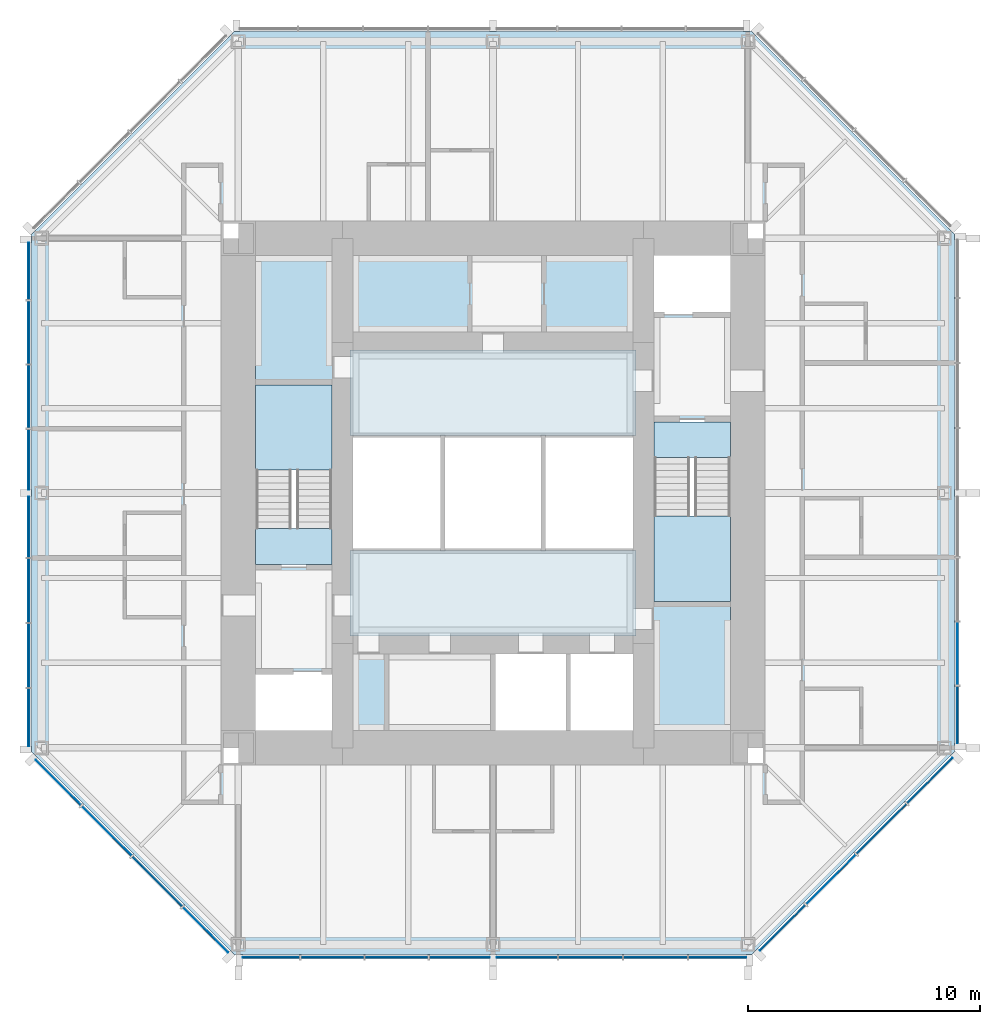
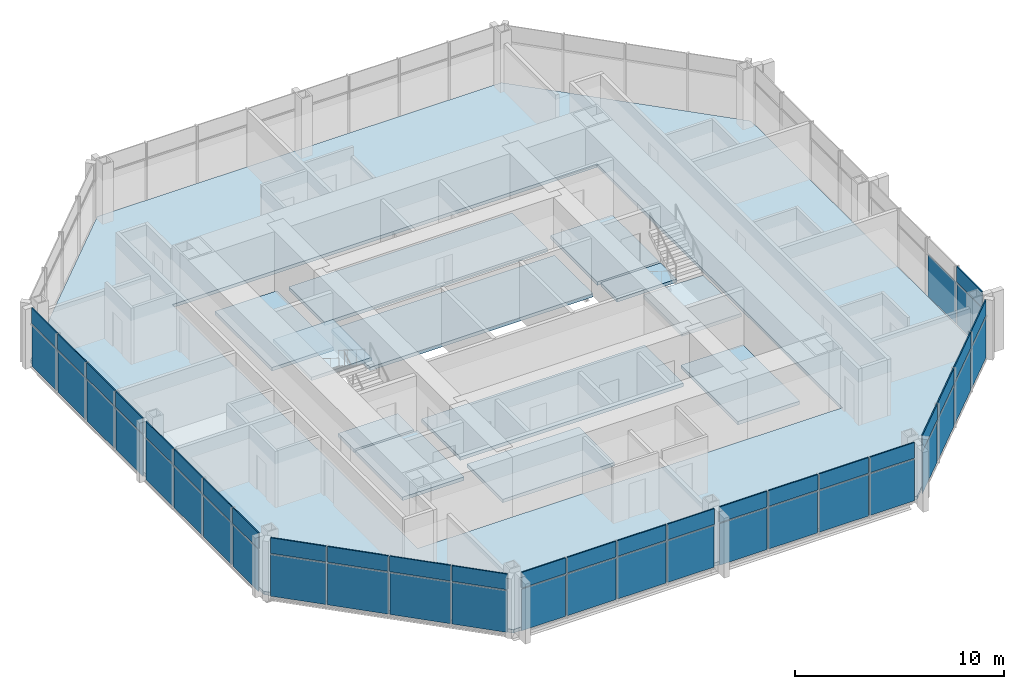
# One storey, part 6 of 11: 51 plates, 13 slabs, 7 elements without a shape of their own.
"""IFC4 building model written with IfcOpenShell, lengths in metres."""

from ifc_helpers import new_model, si_unit, direction, frame, origin, origin_2d, place, context, subcontext, project, spatial, polyline, rectangle, outline, extrude, material, layer, layer_set, type_object, element, aggregate, save


model = new_model("IFC4")

# Units and contexts
model_context = context("Model", 3, precision=1e-05, world=origin(), true_north=direction((0.0, 1.0)))
body_context = subcontext(model_context, "Body", "Model", "MODEL_VIEW")
ifc_project = project(units=[si_unit("LENGTHUNIT", "METRE"), si_unit("AREAUNIT", "SQUARE_METRE"), si_unit("VOLUMEUNIT", "CUBIC_METRE"), si_unit("PLANEANGLEUNIT", "RADIAN"), si_unit("MASSUNIT", "GRAM", prefix="KILO")], contexts=[model_context])

# Site, building, storey
site_placement = place(None, origin())
site = spatial("IfcSite", under=ifc_project, at=site_placement, CompositionType="ELEMENT")
building_placement = place(site_placement, origin())
building = spatial("IfcBuilding", under=site, at=building_placement, Name="Trevanion Tower", CompositionType="ELEMENT")
storey_placement = place(building_placement, frame((0.0, 0.0, 232.699951171875)))
storey = spatial("IfcBuildingStorey", under=building, at=storey_placement, Name="L56", CompositionType="ELEMENT", Elevation=232.699951171875)

# Curtain wall, plate
ifc_material_1 = material(Name="Aluminium and glass", Category="aluminium")
curtain_wall_type = type_object("IfcCurtainWallType", Name="CW3 curtain wall", PredefinedType="USERDEFINED", material=ifc_material_1)
curtain_wall_1_placement = place(storey_placement, origin())
curtain_wall_1 = element("IfcCurtainWall", 1, at=curtain_wall_1_placement, inside=storey, type_object=curtain_wall_type, Name="CW3 L56 0", ObjectType="UNITISED CURTAIN WALL", PredefinedType="USERDEFINED")
ifc_material_2 = material(Name="Aluminium spandrel panel", Category="aluminium")
ifc_layer_1 = layer(ifc_material_2, 0.06005859375)
ifc_layer_set_1 = layer_set([ifc_layer_1], Name="CW3 spandrel panel")
plate_type_1 = type_object("IfcPlateType", Name="CW3 spandrel panel", PredefinedType="CURTAIN_PANEL", material=ifc_layer_set_1)
plate_1_placement = place(storey_placement, frame((20.050048828125, -9.579345703125, 2.3974609375), z_axis=(0.0, 0.0, 1.0), x_axis=(0.0, 1.0, 0.0)))
plate_1 = element("IfcPlate", 2, at=plate_1_placement, type_object=plate_type_1, Name="CW3 panel 1.2", PredefinedType="CURTAIN_PANEL", context=body_context, shape_type="SweptSolid", body=[
    extrude(rectangle(XDim=2.43701171875, YDim=0.06005859375, at=origin_2d()), origin(), (0.0, 0.0, 1.0), 0.91259765625),
])

# Curtain wall, plates
curtain_wall_2_placement = place(storey_placement, origin())
curtain_wall_2 = element("IfcCurtainWall", 3, at=curtain_wall_2_placement, inside=storey, type_object=curtain_wall_type, Name="CW3 L56 4", ObjectType="UNITISED CURTAIN WALL", PredefinedType="USERDEFINED")
plate_2_placement = place(storey_placement, frame((-20.050048828125, 9.579345703125, 2.3974609375), z_axis=(0.0, 0.0, 1.0), x_axis=(0.0, -1.0, 0.0)))
plate_2 = element("IfcPlate", 4, at=plate_2_placement, type_object=plate_type_1, Name="CW3 panel 1.2", PredefinedType="CURTAIN_PANEL", context=body_context, shape_type="SweptSolid", body=[
    extrude(rectangle(XDim=2.43701171875, YDim=0.06005859375, at=origin_2d()), origin(), (0.0, 0.0, 1.0), 0.91259765625),
])
plate_3_placement = place(storey_placement, frame((-20.050048828125, 6.93603515625, 2.3974609375), z_axis=(0.0, 0.0, 1.0), x_axis=(0.0, -1.0, 0.0)))
plate_3 = element("IfcPlate", 5, at=plate_3_placement, type_object=plate_type_1, Name="CW3 panel 2.2", PredefinedType="CURTAIN_PANEL", context=body_context, shape_type="SweptSolid", body=[
    extrude(rectangle(XDim=2.699462890625, YDim=0.06005859375, at=origin_2d()), origin(), (0.0, 0.0, 1.0), 0.91259765625),
])
plate_4_placement = place(storey_placement, frame((-20.050048828125, 4.16162109375, 2.3974609375), z_axis=(0.0, 0.0, 1.0), x_axis=(0.0, -1.0, 0.0)))
plate_4 = element("IfcPlate", 6, at=plate_4_placement, type_object=plate_type_1, Name="CW3 panel 3.2", PredefinedType="CURTAIN_PANEL", context=body_context, shape_type="SweptSolid", body=[
    extrude(rectangle(XDim=2.699462890625, YDim=0.06005859375, at=origin_2d()), origin(), (0.0, 0.0, 1.0), 0.91259765625),
])
plate_5_placement = place(storey_placement, frame((-20.050048828125, 1.443603515625, 2.3974609375), z_axis=(0.0, 0.0, 1.0), x_axis=(0.0, -1.0, 0.0)))
plate_5 = element("IfcPlate", 7, at=plate_5_placement, type_object=plate_type_1, Name="CW3 panel 4.2", PredefinedType="CURTAIN_PANEL", context=body_context, shape_type="SweptSolid", body=[
    extrude(rectangle(XDim=2.5869140625, YDim=0.06005859375, at=origin_2d()), origin(), (0.0, 0.0, 1.0), 0.91259765625),
])
plate_6_placement = place(storey_placement, frame((-20.050048828125, -1.459716796875, 2.3974609375), z_axis=(0.0, 0.0, 1.0), x_axis=(0.0, -1.0, 0.0)))
plate_6 = element("IfcPlate", 8, at=plate_6_placement, type_object=plate_type_1, Name="CW3 panel 5.2", PredefinedType="CURTAIN_PANEL", context=body_context, shape_type="SweptSolid", body=[
    extrude(rectangle(XDim=2.619384765625, YDim=0.06005859375, at=origin_2d()), origin(), (0.0, 0.0, 1.0), 0.91259765625),
])
plate_7_placement = place(storey_placement, frame((-20.050048828125, -4.21044921875, 2.3974609375), z_axis=(0.0, 0.0, 1.0), x_axis=(0.0, -1.0, 0.0)))
plate_7 = element("IfcPlate", 9, at=plate_7_placement, type_object=plate_type_1, Name="CW3 panel 6.2", PredefinedType="CURTAIN_PANEL", context=body_context, shape_type="SweptSolid", body=[
    extrude(rectangle(XDim=2.73193359375, YDim=0.06005859375, at=origin_2d()), origin(), (0.0, 0.0, 1.0), 0.91259765625),
])
plate_8_placement = place(storey_placement, frame((-20.050048828125, -7.017333984375, 2.3974609375), z_axis=(0.0, 0.0, 1.0), x_axis=(0.0, -1.0, 0.0)))
plate_8 = element("IfcPlate", 10, at=plate_8_placement, type_object=plate_type_1, Name="CW3 panel 7.2", PredefinedType="CURTAIN_PANEL", context=body_context, shape_type="SweptSolid", body=[
    extrude(rectangle(XDim=2.73193359375, YDim=0.06005859375, at=origin_2d()), origin(), (0.0, 0.0, 1.0), 0.91259765625),
])
plate_9_placement = place(storey_placement, frame((-20.050048828125, -9.693115234375, 2.3974609375), z_axis=(0.0, 0.0, 1.0), x_axis=(0.0, -1.0, 0.0)))
plate_9 = element("IfcPlate", 11, at=plate_9_placement, type_object=plate_type_1, Name="CW3 panel 8.2", PredefinedType="CURTAIN_PANEL", context=body_context, shape_type="SweptSolid", body=[
    extrude(rectangle(XDim=2.469482421875, YDim=0.06005859375, at=origin_2d()), origin(), (0.0, 0.0, 1.0), 0.91259765625),
])

curtain_wall_3_placement = place(storey_placement, origin())
curtain_wall_3 = element("IfcCurtainWall", 12, at=curtain_wall_3_placement, inside=storey, type_object=curtain_wall_type, Name="CW3 L56 5", ObjectType="UNITISED CURTAIN WALL", PredefinedType="USERDEFINED")
plate_10_placement = place(storey_placement, frame((-18.77392578125, -12.50390625, 2.3974609375), z_axis=(0.0, 0.0, 1.0), x_axis=(0.707106781187, -0.707106781187, 0.0)))
plate_10 = element("IfcPlate", 13, at=plate_10_placement, type_object=plate_type_1, Name="CW3 panel 1.2", PredefinedType="CURTAIN_PANEL", context=body_context, shape_type="SweptSolid", body=[
    extrude(rectangle(XDim=2.7490234375, YDim=0.06005859375, at=origin_2d()), origin(), (0.0, 0.0, 1.0), 0.91259765625),
])
plate_11_placement = place(storey_placement, frame((-16.68408203125, -14.593505859375, 2.3974609375), z_axis=(0.0, 0.0, 1.0), x_axis=(0.707106781187, -0.707106781187, 0.0)))
plate_11 = element("IfcPlate", 14, at=plate_11_placement, type_object=plate_type_1, Name="CW3 panel 2.2", PredefinedType="CURTAIN_PANEL", context=body_context, shape_type="SweptSolid", body=[
    extrude(rectangle(XDim=3.01171875, YDim=0.06005859375, at=origin_2d()), origin(), (0.0, 0.0, 1.0), 0.91259765625),
])
plate_12_placement = place(storey_placement, frame((-14.501708984375, -16.776123046875, 2.3974609375), z_axis=(0.0, 0.0, 1.0), x_axis=(0.707106781187, -0.707106781187, 0.0)))
plate_12 = element("IfcPlate", 15, at=plate_12_placement, type_object=plate_type_1, Name="CW3 panel 3.2", PredefinedType="CURTAIN_PANEL", context=body_context, shape_type="SweptSolid", body=[
    extrude(rectangle(XDim=3.01171875, YDim=0.06005859375, at=origin_2d()), origin(), (0.0, 0.0, 1.0), 0.91259765625),
])
plate_13_placement = place(storey_placement, frame((-12.411865234375, -18.865966796875, 2.3974609375), z_axis=(0.0, 0.0, 1.0), x_axis=(0.707106781187, -0.707106781187, 0.0)))
plate_13 = element("IfcPlate", 16, at=plate_13_placement, type_object=plate_type_1, Name="CW3 panel 4.2", PredefinedType="CURTAIN_PANEL", context=body_context, shape_type="SweptSolid", body=[
    extrude(rectangle(XDim=2.7490234375, YDim=0.06005859375, at=origin_2d()), origin(), (0.0, 0.0, 1.0), 0.91259765625),
])

curtain_wall_4_placement = place(storey_placement, origin())
curtain_wall_4 = element("IfcCurtainWall", 17, at=curtain_wall_4_placement, inside=storey, type_object=curtain_wall_type, Name="CW3 L56 6", ObjectType="UNITISED CURTAIN WALL", PredefinedType="USERDEFINED")
plate_14_placement = place(storey_placement, frame((-9.579345703125, -20.050048828125, 2.3974609375), z_axis=(0.0, 0.0, 1.0), x_axis=(1.0, 0.0, 0.0)))
plate_14 = element("IfcPlate", 18, at=plate_14_placement, type_object=plate_type_1, Name="CW3 panel 1.2", PredefinedType="CURTAIN_PANEL", context=body_context, shape_type="SweptSolid", body=[
    extrude(rectangle(XDim=2.43701171875, YDim=0.06005859375, at=origin_2d()), origin(), (0.0, 0.0, 1.0), 0.91259765625),
])
plate_15_placement = place(storey_placement, frame((-6.93603515625, -20.050048828125, 2.3974609375), z_axis=(0.0, 0.0, 1.0), x_axis=(1.0, 0.0, 0.0)))
plate_15 = element("IfcPlate", 19, at=plate_15_placement, type_object=plate_type_1, Name="CW3 panel 2.2", PredefinedType="CURTAIN_PANEL", context=body_context, shape_type="SweptSolid", body=[
    extrude(rectangle(XDim=2.699462890625, YDim=0.06005859375, at=origin_2d()), origin(), (0.0, 0.0, 1.0), 0.91259765625),
])
plate_16_placement = place(storey_placement, frame((-4.16162109375, -20.050048828125, 2.3974609375), z_axis=(0.0, 0.0, 1.0), x_axis=(1.0, 0.0, 0.0)))
plate_16 = element("IfcPlate", 20, at=plate_16_placement, type_object=plate_type_1, Name="CW3 panel 3.2", PredefinedType="CURTAIN_PANEL", context=body_context, shape_type="SweptSolid", body=[
    extrude(rectangle(XDim=2.699462890625, YDim=0.06005859375, at=origin_2d()), origin(), (0.0, 0.0, 1.0), 0.91259765625),
])
plate_17_placement = place(storey_placement, frame((-1.443603515625, -20.050048828125, 2.3974609375), z_axis=(0.0, 0.0, 1.0), x_axis=(1.0, 0.0, 0.0)))
plate_17 = element("IfcPlate", 21, at=plate_17_placement, type_object=plate_type_1, Name="CW3 panel 4.2", PredefinedType="CURTAIN_PANEL", context=body_context, shape_type="SweptSolid", body=[
    extrude(rectangle(XDim=2.5869140625, YDim=0.06005859375, at=origin_2d()), origin(), (0.0, 0.0, 1.0), 0.91259765625),
])
plate_18_placement = place(storey_placement, frame((1.459716796875, -20.050048828125, 2.3974609375), z_axis=(0.0, 0.0, 1.0), x_axis=(1.0, 0.0, 0.0)))
plate_18 = element("IfcPlate", 22, at=plate_18_placement, type_object=plate_type_1, Name="CW3 panel 5.2", PredefinedType="CURTAIN_PANEL", context=body_context, shape_type="SweptSolid", body=[
    extrude(rectangle(XDim=2.619384765625, YDim=0.06005859375, at=origin_2d()), origin(), (0.0, 0.0, 1.0), 0.91259765625),
])
plate_19_placement = place(storey_placement, frame((4.21044921875, -20.050048828125, 2.3974609375), z_axis=(0.0, 0.0, 1.0), x_axis=(1.0, 0.0, 0.0)))
plate_19 = element("IfcPlate", 23, at=plate_19_placement, type_object=plate_type_1, Name="CW3 panel 6.2", PredefinedType="CURTAIN_PANEL", context=body_context, shape_type="SweptSolid", body=[
    extrude(rectangle(XDim=2.73193359375, YDim=0.06005859375, at=origin_2d()), origin(), (0.0, 0.0, 1.0), 0.91259765625),
])
plate_20_placement = place(storey_placement, frame((7.017333984375, -20.050048828125, 2.3974609375), z_axis=(0.0, 0.0, 1.0), x_axis=(1.0, 0.0, 0.0)))
plate_20 = element("IfcPlate", 24, at=plate_20_placement, type_object=plate_type_1, Name="CW3 panel 7.2", PredefinedType="CURTAIN_PANEL", context=body_context, shape_type="SweptSolid", body=[
    extrude(rectangle(XDim=2.73193359375, YDim=0.06005859375, at=origin_2d()), origin(), (0.0, 0.0, 1.0), 0.91259765625),
])
plate_21_placement = place(storey_placement, frame((9.693115234375, -20.050048828125, 2.3974609375), z_axis=(0.0, 0.0, 1.0), x_axis=(1.0, 0.0, 0.0)))
plate_21 = element("IfcPlate", 25, at=plate_21_placement, type_object=plate_type_1, Name="CW3 panel 8.2", PredefinedType="CURTAIN_PANEL", context=body_context, shape_type="SweptSolid", body=[
    extrude(rectangle(XDim=2.469482421875, YDim=0.06005859375, at=origin_2d()), origin(), (0.0, 0.0, 1.0), 0.91259765625),
])

curtain_wall_5_placement = place(storey_placement, origin())
curtain_wall_5 = element("IfcCurtainWall", 26, at=curtain_wall_5_placement, inside=storey, type_object=curtain_wall_type, Name="CW3 L56 7", ObjectType="UNITISED CURTAIN WALL", PredefinedType="USERDEFINED")
plate_22_placement = place(storey_placement, frame((12.50390625, -18.77392578125, 2.3974609375), z_axis=(0.0, 0.0, 1.0), x_axis=(0.707106781187, 0.707106781187, 0.0)))
plate_22 = element("IfcPlate", 27, at=plate_22_placement, type_object=plate_type_1, Name="CW3 panel 1.2", PredefinedType="CURTAIN_PANEL", context=body_context, shape_type="SweptSolid", body=[
    extrude(rectangle(XDim=2.7490234375, YDim=0.06005859375, at=origin_2d()), origin(), (0.0, 0.0, 1.0), 0.91259765625),
])
plate_23_placement = place(storey_placement, frame((14.593505859375, -16.68408203125, 2.3974609375), z_axis=(0.0, 0.0, 1.0), x_axis=(0.707106781187, 0.707106781187, 0.0)))
plate_23 = element("IfcPlate", 28, at=plate_23_placement, type_object=plate_type_1, Name="CW3 panel 2.2", PredefinedType="CURTAIN_PANEL", context=body_context, shape_type="SweptSolid", body=[
    extrude(rectangle(XDim=3.01171875, YDim=0.06005859375, at=origin_2d()), origin(), (0.0, 0.0, 1.0), 0.91259765625),
])
plate_24_placement = place(storey_placement, frame((16.776123046875, -14.501708984375, 2.3974609375), z_axis=(0.0, 0.0, 1.0), x_axis=(0.707106781187, 0.707106781187, 0.0)))
plate_24 = element("IfcPlate", 29, at=plate_24_placement, type_object=plate_type_1, Name="CW3 panel 3.2", PredefinedType="CURTAIN_PANEL", context=body_context, shape_type="SweptSolid", body=[
    extrude(rectangle(XDim=3.01171875, YDim=0.06005859375, at=origin_2d()), origin(), (0.0, 0.0, 1.0), 0.91259765625),
])
plate_25_placement = place(storey_placement, frame((18.865966796875, -12.411865234375, 2.3974609375), z_axis=(0.0, 0.0, 1.0), x_axis=(0.707106781187, 0.707106781187, 0.0)))
plate_25 = element("IfcPlate", 30, at=plate_25_placement, type_object=plate_type_1, Name="CW3 panel 4.2", PredefinedType="CURTAIN_PANEL", context=body_context, shape_type="SweptSolid", body=[
    extrude(rectangle(XDim=2.7490234375, YDim=0.06005859375, at=origin_2d()), origin(), (0.0, 0.0, 1.0), 0.91259765625),
])

# Plate
ifc_material_3 = material(Name="Insulating glass unit", Category="glass")
ifc_layer_2 = layer(ifc_material_3, 0.028076171875)
ifc_layer_set_2 = layer_set([ifc_layer_2], Name="CW3 vision panel")
plate_type_2 = type_object("IfcPlateType", Name="CW3 vision panel", PredefinedType="CURTAIN_PANEL", material=ifc_layer_set_2)
plate_26_placement = place(storey_placement, frame((20.050048828125, -9.579345703125, -0.114990234375), z_axis=(0.0, 0.0, 1.0), x_axis=(0.0, 1.0, 0.0)))
plate_26 = element("IfcPlate", 31, at=plate_26_placement, type_object=plate_type_2, Name="CW3 panel 1.1", PredefinedType="CURTAIN_PANEL", context=body_context, shape_type="SweptSolid", body=[
    extrude(rectangle(XDim=2.43701171875, YDim=0.028076171875, at=origin_2d()), origin(), (0.0, 0.0, 1.0), 2.4375),
])

plate_27_placement = place(storey_placement, frame((20.050048828125, -6.93603515625, -0.114990234375), z_axis=(0.0, 0.0, 1.0), x_axis=(0.0, 1.0, 0.0)))
plate_27 = element("IfcPlate", 32, at=plate_27_placement, type_object=plate_type_2, Name="CW3 panel 2.1", PredefinedType="CURTAIN_PANEL", context=body_context, shape_type="SweptSolid", body=[
    extrude(rectangle(XDim=2.699462890625, YDim=0.028076171875, at=origin_2d()), origin(), (0.0, 0.0, 1.0), 2.4375),
])

aggregate(curtain_wall_1, [plate_26, plate_1, plate_27])

plate_28_placement = place(storey_placement, frame((-20.050048828125, 9.579345703125, -0.114990234375), z_axis=(0.0, 0.0, 1.0), x_axis=(0.0, -1.0, 0.0)))
plate_28 = element("IfcPlate", 33, at=plate_28_placement, type_object=plate_type_2, Name="CW3 panel 1.1", PredefinedType="CURTAIN_PANEL", context=body_context, shape_type="SweptSolid", body=[
    extrude(rectangle(XDim=2.43701171875, YDim=0.028076171875, at=origin_2d()), origin(), (0.0, 0.0, 1.0), 2.4375),
])

plate_29_placement = place(storey_placement, frame((-20.050048828125, 6.93603515625, -0.114990234375), z_axis=(0.0, 0.0, 1.0), x_axis=(0.0, -1.0, 0.0)))
plate_29 = element("IfcPlate", 34, at=plate_29_placement, type_object=plate_type_2, Name="CW3 panel 2.1", PredefinedType="CURTAIN_PANEL", context=body_context, shape_type="SweptSolid", body=[
    extrude(rectangle(XDim=2.699462890625, YDim=0.028076171875, at=origin_2d()), origin(), (0.0, 0.0, 1.0), 2.4375),
])

plate_30_placement = place(storey_placement, frame((-20.050048828125, 4.16162109375, -0.114990234375), z_axis=(0.0, 0.0, 1.0), x_axis=(0.0, -1.0, 0.0)))
plate_30 = element("IfcPlate", 35, at=plate_30_placement, type_object=plate_type_2, Name="CW3 panel 3.1", PredefinedType="CURTAIN_PANEL", context=body_context, shape_type="SweptSolid", body=[
    extrude(rectangle(XDim=2.699462890625, YDim=0.028076171875, at=origin_2d()), origin(), (0.0, 0.0, 1.0), 2.4375),
])

plate_31_placement = place(storey_placement, frame((-20.050048828125, 1.443603515625, -0.114990234375), z_axis=(0.0, 0.0, 1.0), x_axis=(0.0, -1.0, 0.0)))
plate_31 = element("IfcPlate", 36, at=plate_31_placement, type_object=plate_type_2, Name="CW3 panel 4.1", PredefinedType="CURTAIN_PANEL", context=body_context, shape_type="SweptSolid", body=[
    extrude(rectangle(XDim=2.5869140625, YDim=0.028076171875, at=origin_2d()), origin(), (0.0, 0.0, 1.0), 2.4375),
])

plate_32_placement = place(storey_placement, frame((-20.050048828125, -1.459716796875, -0.114990234375), z_axis=(0.0, 0.0, 1.0), x_axis=(0.0, -1.0, 0.0)))
plate_32 = element("IfcPlate", 37, at=plate_32_placement, type_object=plate_type_2, Name="CW3 panel 5.1", PredefinedType="CURTAIN_PANEL", context=body_context, shape_type="SweptSolid", body=[
    extrude(rectangle(XDim=2.619384765625, YDim=0.028076171875, at=origin_2d()), origin(), (0.0, 0.0, 1.0), 2.4375),
])

plate_33_placement = place(storey_placement, frame((-20.050048828125, -4.21044921875, -0.114990234375), z_axis=(0.0, 0.0, 1.0), x_axis=(0.0, -1.0, 0.0)))
plate_33 = element("IfcPlate", 38, at=plate_33_placement, type_object=plate_type_2, Name="CW3 panel 6.1", PredefinedType="CURTAIN_PANEL", context=body_context, shape_type="SweptSolid", body=[
    extrude(rectangle(XDim=2.73193359375, YDim=0.028076171875, at=origin_2d()), origin(), (0.0, 0.0, 1.0), 2.4375),
])

plate_34_placement = place(storey_placement, frame((-20.050048828125, -7.017333984375, -0.114990234375), z_axis=(0.0, 0.0, 1.0), x_axis=(0.0, -1.0, 0.0)))
plate_34 = element("IfcPlate", 39, at=plate_34_placement, type_object=plate_type_2, Name="CW3 panel 7.1", PredefinedType="CURTAIN_PANEL", context=body_context, shape_type="SweptSolid", body=[
    extrude(rectangle(XDim=2.73193359375, YDim=0.028076171875, at=origin_2d()), origin(), (0.0, 0.0, 1.0), 2.4375),
])

plate_35_placement = place(storey_placement, frame((-20.050048828125, -9.693115234375, -0.114990234375), z_axis=(0.0, 0.0, 1.0), x_axis=(0.0, -1.0, 0.0)))
plate_35 = element("IfcPlate", 40, at=plate_35_placement, type_object=plate_type_2, Name="CW3 panel 8.1", PredefinedType="CURTAIN_PANEL", context=body_context, shape_type="SweptSolid", body=[
    extrude(rectangle(XDim=2.469482421875, YDim=0.028076171875, at=origin_2d()), origin(), (0.0, 0.0, 1.0), 2.4375),
])

aggregate(curtain_wall_2, [plate_28, plate_2, plate_29, plate_3, plate_30, plate_4, plate_31, plate_5, plate_32, plate_6, plate_33, plate_7, plate_34, plate_8, plate_35, plate_9])

plate_36_placement = place(storey_placement, frame((-18.77392578125, -12.50390625, -0.114990234375), z_axis=(0.0, 0.0, 1.0), x_axis=(0.707106781187, -0.707106781187, 0.0)))
plate_36 = element("IfcPlate", 41, at=plate_36_placement, type_object=plate_type_2, Name="CW3 panel 1.1", PredefinedType="CURTAIN_PANEL", context=body_context, shape_type="SweptSolid", body=[
    extrude(rectangle(XDim=2.7490234375, YDim=0.028076171875, at=origin_2d()), origin(), (0.0, 0.0, 1.0), 2.4375),
])

plate_37_placement = place(storey_placement, frame((-16.68408203125, -14.593505859375, -0.114990234375), z_axis=(0.0, 0.0, 1.0), x_axis=(0.707106781187, -0.707106781187, 0.0)))
plate_37 = element("IfcPlate", 42, at=plate_37_placement, type_object=plate_type_2, Name="CW3 panel 2.1", PredefinedType="CURTAIN_PANEL", context=body_context, shape_type="SweptSolid", body=[
    extrude(rectangle(XDim=3.01171875, YDim=0.028076171875, at=origin_2d()), origin(), (0.0, 0.0, 1.0), 2.4375),
])

plate_38_placement = place(storey_placement, frame((-14.501708984375, -16.776123046875, -0.114990234375), z_axis=(0.0, 0.0, 1.0), x_axis=(0.707106781187, -0.707106781187, 0.0)))
plate_38 = element("IfcPlate", 43, at=plate_38_placement, type_object=plate_type_2, Name="CW3 panel 3.1", PredefinedType="CURTAIN_PANEL", context=body_context, shape_type="SweptSolid", body=[
    extrude(rectangle(XDim=3.01171875, YDim=0.028076171875, at=origin_2d()), origin(), (0.0, 0.0, 1.0), 2.4375),
])

plate_39_placement = place(storey_placement, frame((-12.411865234375, -18.865966796875, -0.114990234375), z_axis=(0.0, 0.0, 1.0), x_axis=(0.707106781187, -0.707106781187, 0.0)))
plate_39 = element("IfcPlate", 44, at=plate_39_placement, type_object=plate_type_2, Name="CW3 panel 4.1", PredefinedType="CURTAIN_PANEL", context=body_context, shape_type="SweptSolid", body=[
    extrude(rectangle(XDim=2.7490234375, YDim=0.028076171875, at=origin_2d()), origin(), (0.0, 0.0, 1.0), 2.4375),
])

aggregate(curtain_wall_3, [plate_36, plate_10, plate_37, plate_11, plate_38, plate_12, plate_39, plate_13])

plate_40_placement = place(storey_placement, frame((-9.579345703125, -20.050048828125, -0.114990234375), z_axis=(0.0, 0.0, 1.0), x_axis=(1.0, 0.0, 0.0)))
plate_40 = element("IfcPlate", 45, at=plate_40_placement, type_object=plate_type_2, Name="CW3 panel 1.1", PredefinedType="CURTAIN_PANEL", context=body_context, shape_type="SweptSolid", body=[
    extrude(rectangle(XDim=2.43701171875, YDim=0.028076171875, at=origin_2d()), origin(), (0.0, 0.0, 1.0), 2.4375),
])

plate_41_placement = place(storey_placement, frame((-6.93603515625, -20.050048828125, -0.114990234375), z_axis=(0.0, 0.0, 1.0), x_axis=(1.0, 0.0, 0.0)))
plate_41 = element("IfcPlate", 46, at=plate_41_placement, type_object=plate_type_2, Name="CW3 panel 2.1", PredefinedType="CURTAIN_PANEL", context=body_context, shape_type="SweptSolid", body=[
    extrude(rectangle(XDim=2.699462890625, YDim=0.028076171875, at=origin_2d()), origin(), (0.0, 0.0, 1.0), 2.4375),
])

plate_42_placement = place(storey_placement, frame((-4.16162109375, -20.050048828125, -0.114990234375), z_axis=(0.0, 0.0, 1.0), x_axis=(1.0, 0.0, 0.0)))
plate_42 = element("IfcPlate", 47, at=plate_42_placement, type_object=plate_type_2, Name="CW3 panel 3.1", PredefinedType="CURTAIN_PANEL", context=body_context, shape_type="SweptSolid", body=[
    extrude(rectangle(XDim=2.699462890625, YDim=0.028076171875, at=origin_2d()), origin(), (0.0, 0.0, 1.0), 2.4375),
])

plate_43_placement = place(storey_placement, frame((-1.443603515625, -20.050048828125, -0.114990234375), z_axis=(0.0, 0.0, 1.0), x_axis=(1.0, 0.0, 0.0)))
plate_43 = element("IfcPlate", 48, at=plate_43_placement, type_object=plate_type_2, Name="CW3 panel 4.1", PredefinedType="CURTAIN_PANEL", context=body_context, shape_type="SweptSolid", body=[
    extrude(rectangle(XDim=2.5869140625, YDim=0.028076171875, at=origin_2d()), origin(), (0.0, 0.0, 1.0), 2.4375),
])

plate_44_placement = place(storey_placement, frame((1.459716796875, -20.050048828125, -0.114990234375), z_axis=(0.0, 0.0, 1.0), x_axis=(1.0, 0.0, 0.0)))
plate_44 = element("IfcPlate", 49, at=plate_44_placement, type_object=plate_type_2, Name="CW3 panel 5.1", PredefinedType="CURTAIN_PANEL", context=body_context, shape_type="SweptSolid", body=[
    extrude(rectangle(XDim=2.619384765625, YDim=0.028076171875, at=origin_2d()), origin(), (0.0, 0.0, 1.0), 2.4375),
])

plate_45_placement = place(storey_placement, frame((4.21044921875, -20.050048828125, -0.114990234375), z_axis=(0.0, 0.0, 1.0), x_axis=(1.0, 0.0, 0.0)))
plate_45 = element("IfcPlate", 50, at=plate_45_placement, type_object=plate_type_2, Name="CW3 panel 6.1", PredefinedType="CURTAIN_PANEL", context=body_context, shape_type="SweptSolid", body=[
    extrude(rectangle(XDim=2.73193359375, YDim=0.028076171875, at=origin_2d()), origin(), (0.0, 0.0, 1.0), 2.4375),
])

plate_46_placement = place(storey_placement, frame((7.017333984375, -20.050048828125, -0.114990234375), z_axis=(0.0, 0.0, 1.0), x_axis=(1.0, 0.0, 0.0)))
plate_46 = element("IfcPlate", 51, at=plate_46_placement, type_object=plate_type_2, Name="CW3 panel 7.1", PredefinedType="CURTAIN_PANEL", context=body_context, shape_type="SweptSolid", body=[
    extrude(rectangle(XDim=2.73193359375, YDim=0.028076171875, at=origin_2d()), origin(), (0.0, 0.0, 1.0), 2.4375),
])

plate_47_placement = place(storey_placement, frame((9.693115234375, -20.050048828125, -0.114990234375), z_axis=(0.0, 0.0, 1.0), x_axis=(1.0, 0.0, 0.0)))
plate_47 = element("IfcPlate", 52, at=plate_47_placement, type_object=plate_type_2, Name="CW3 panel 8.1", PredefinedType="CURTAIN_PANEL", context=body_context, shape_type="SweptSolid", body=[
    extrude(rectangle(XDim=2.469482421875, YDim=0.028076171875, at=origin_2d()), origin(), (0.0, 0.0, 1.0), 2.4375),
])

aggregate(curtain_wall_4, [plate_40, plate_14, plate_41, plate_15, plate_42, plate_16, plate_43, plate_17, plate_44, plate_18, plate_45, plate_19, plate_46, plate_20, plate_47, plate_21])

plate_48_placement = place(storey_placement, frame((12.50390625, -18.77392578125, -0.114990234375), z_axis=(0.0, 0.0, 1.0), x_axis=(0.707106781187, 0.707106781187, 0.0)))
plate_48 = element("IfcPlate", 53, at=plate_48_placement, type_object=plate_type_2, Name="CW3 panel 1.1", PredefinedType="CURTAIN_PANEL", context=body_context, shape_type="SweptSolid", body=[
    extrude(rectangle(XDim=2.7490234375, YDim=0.028076171875, at=origin_2d()), origin(), (0.0, 0.0, 1.0), 2.4375),
])

plate_49_placement = place(storey_placement, frame((14.593505859375, -16.68408203125, -0.114990234375), z_axis=(0.0, 0.0, 1.0), x_axis=(0.707106781187, 0.707106781187, 0.0)))
plate_49 = element("IfcPlate", 54, at=plate_49_placement, type_object=plate_type_2, Name="CW3 panel 2.1", PredefinedType="CURTAIN_PANEL", context=body_context, shape_type="SweptSolid", body=[
    extrude(rectangle(XDim=3.01171875, YDim=0.028076171875, at=origin_2d()), origin(), (0.0, 0.0, 1.0), 2.4375),
])

plate_50_placement = place(storey_placement, frame((16.776123046875, -14.501708984375, -0.114990234375), z_axis=(0.0, 0.0, 1.0), x_axis=(0.707106781187, 0.707106781187, 0.0)))
plate_50 = element("IfcPlate", 55, at=plate_50_placement, type_object=plate_type_2, Name="CW3 panel 3.1", PredefinedType="CURTAIN_PANEL", context=body_context, shape_type="SweptSolid", body=[
    extrude(rectangle(XDim=3.01171875, YDim=0.028076171875, at=origin_2d()), origin(), (0.0, 0.0, 1.0), 2.4375),
])

plate_51_placement = place(storey_placement, frame((18.865966796875, -12.411865234375, -0.114990234375), z_axis=(0.0, 0.0, 1.0), x_axis=(0.707106781187, 0.707106781187, 0.0)))
plate_51 = element("IfcPlate", 56, at=plate_51_placement, type_object=plate_type_2, Name="CW3 panel 4.1", PredefinedType="CURTAIN_PANEL", context=body_context, shape_type="SweptSolid", body=[
    extrude(rectangle(XDim=2.7490234375, YDim=0.028076171875, at=origin_2d()), origin(), (0.0, 0.0, 1.0), 2.4375),
])

aggregate(curtain_wall_5, [plate_48, plate_22, plate_49, plate_23, plate_50, plate_24, plate_51, plate_25])

# Slabs
ifc_material_4 = material(Name="Concrete 5,000 psi on composite metal deck", Category="concrete")
ifc_layer_3 = layer(ifc_material_4, 0.18994140625)
ifc_layer_set_3 = layer_set([ifc_layer_3], Name="SL1 composite floor 190")
slab_type_1 = type_object("IfcSlabType", Name="SL1 composite floor 190", PredefinedType="FLOOR", material=ifc_layer_set_3)
slab_1_placement = place(storey_placement, frame((0.0, 0.0, -0.18994140625)))
element("IfcSlab", 57, at=slab_1_placement, inside=storey, type_object=slab_type_1, Name="SL1 L56 floor", PredefinedType="FLOOR", context=body_context, shape_type="SweptSolid", body=[
    extrude(outline(polyline([(19.919921875, -11.174072265625), (19.919921875, 11.174072265625), (11.174072265625, 19.919921875), (-11.174072265625, 19.919921875), (-19.919921875, 11.174072265625), (-19.919921875, -11.174072265625), (-11.174072265625, -19.919921875), (11.174072265625, -19.919921875), (19.919921875, -11.174072265625)]), holes=[polyline([(11.75, -11.75), (11.75, 11.75), (-11.75, 11.75), (-11.75, -11.75), (11.75, -11.75)])]), origin(), (0.0, 0.0, 1.0), 0.18994140625),
])
ifc_material_5 = material(Name="Concrete 5,000 psi", Category="concrete")
ifc_layer_4 = layer(ifc_material_5, 0.199951171875)
ifc_layer_set_4 = layer_set([ifc_layer_4], Name="SL2 core floor 200")
slab_type_2 = type_object("IfcSlabType", Name="SL2 core floor 200", PredefinedType="FLOOR", material=ifc_layer_set_4)
slab_2_placement = place(storey_placement, frame((0.0, 0.0, -0.199951171875)))
element("IfcSlab", 58, at=slab_2_placement, inside=storey, type_object=slab_type_2, Name="SL2 L56 core floor 1", PredefinedType="FLOOR", context=body_context, shape_type="SweptSolid", body=[
    extrude(outline(polyline([(0.02001953125, -10.25), (-6.169921875, -10.25), (-6.169921875, -6.830078125), (0.02001953125, -6.830078125), (0.02001953125, -10.25)])), origin(), (0.0, 0.0, 1.0), 0.199951171875),
])
slab_3_placement = place(storey_placement, frame((0.0, 0.0, -0.199951171875)))
element("IfcSlab", 59, at=slab_3_placement, inside=storey, type_object=slab_type_2, Name="SL2 L56 core floor 2", PredefinedType="FLOOR", context=body_context, shape_type="SweptSolid", body=[
    extrude(outline(polyline([(6.830078125, -4.804931640625), (10.25, -4.804931640625), (10.25, -10.25), (6.830078125, -10.25), (6.830078125, -4.804931640625)])), origin(), (0.0, 0.0, 1.0), 0.199951171875),
])
slab_4_placement = place(storey_placement, frame((0.0, 0.0, -0.199951171875)))
element("IfcSlab", 60, at=slab_4_placement, inside=storey, type_object=slab_type_2, Name="SL2 L56 core floor 3", PredefinedType="FLOOR", context=body_context, shape_type="SweptSolid", body=[
    extrude(outline(polyline([(-6.830078125, -3.205078125), (-6.830078125, -7.695068359375), (-10.25, -7.695068359375), (-10.25, -3.205078125), (-6.830078125, -3.205078125)])), origin(), (0.0, 0.0, 1.0), 0.199951171875),
])
slab_5_placement = place(storey_placement, frame((0.0, 0.0, -0.199951171875)))
element("IfcSlab", 61, at=slab_5_placement, inside=storey, type_object=slab_type_2, Name="SL2 L56 core floor 4", PredefinedType="FLOOR", context=body_context, shape_type="SweptSolid", body=[
    extrude(outline(polyline([(6.169921875, -6.169921875), (-6.169921875, -6.169921875), (-6.169921875, -2.47998046875), (6.169921875, -2.47998046875), (6.169921875, -6.169921875)])), origin(), (0.0, 0.0, 1.0), 0.199951171875),
])
slab_6_placement = place(storey_placement, frame((0.0, 0.0, -0.199951171875)))
element("IfcSlab", 62, at=slab_6_placement, inside=storey, type_object=slab_type_2, Name="SL2 L56 core floor 5", PredefinedType="FLOOR", context=body_context, shape_type="SweptSolid", body=[
    extrude(outline(polyline([(6.169921875, 2.47998046875), (-6.169921875, 2.47998046875), (-6.169921875, 6.169921875), (6.169921875, 6.169921875), (6.169921875, 2.47998046875)])), origin(), (0.0, 0.0, 1.0), 0.199951171875),
])
slab_7_placement = place(storey_placement, frame((0.0, 0.0, -0.199951171875)))
element("IfcSlab", 63, at=slab_7_placement, inside=storey, type_object=slab_type_2, Name="SL2 L56 core floor 6", PredefinedType="FLOOR", context=body_context, shape_type="SweptSolid", body=[
    extrude(outline(polyline([(6.830078125, 3.205078125), (6.830078125, 7.695068359375), (10.25, 7.695068359375), (10.25, 3.205078125), (6.830078125, 3.205078125)])), origin(), (0.0, 0.0, 1.0), 0.199951171875),
])
slab_8_placement = place(storey_placement, frame((0.0, 0.0, -0.199951171875)))
element("IfcSlab", 64, at=slab_8_placement, inside=storey, type_object=slab_type_2, Name="SL2 L56 core floor 7", PredefinedType="FLOOR", context=body_context, shape_type="SweptSolid", body=[
    extrude(outline(polyline([(-6.830078125, 4.804931640625), (-10.25, 4.804931640625), (-10.25, 10.25), (-6.830078125, 10.25), (-6.830078125, 4.804931640625)])), origin(), (0.0, 0.0, 1.0), 0.199951171875),
])
slab_9_placement = place(storey_placement, frame((0.0, 0.0, -0.199951171875)))
element("IfcSlab", 65, at=slab_9_placement, inside=storey, type_object=slab_type_2, Name="SL2 L56 core floor 8", PredefinedType="FLOOR", context=body_context, shape_type="SweptSolid", body=[
    extrude(outline(polyline([(6.169921875, 6.830078125), (-6.169921875, 6.830078125), (-6.169921875, 10.25), (6.169921875, 10.25), (6.169921875, 6.830078125)])), origin(), (0.0, 0.0, 1.0), 0.199951171875),
])

# Stair, slabs
ifc_material_6 = material(Name="Concrete 5,000 psi on steel stringers", Category="concrete")
stair_type = type_object("IfcStairType", Name="ST stair", PredefinedType="HALF_TURN_STAIR", material=ifc_material_6)
stair_1_placement = place(storey_placement, origin())
stair_1 = element("IfcStair", 66, at=stair_1_placement, inside=storey, type_object=stair_type, Name="ST1 L56", PredefinedType="HALF_TURN_STAIR")
ifc_material_7 = material(Name="Concrete 5,000 psi in steel pan", Category="concrete")
ifc_layer_5 = layer(ifc_material_7, 0.199951171875)
ifc_layer_set_5 = layer_set([ifc_layer_5], Name="STL stair landing 200")
slab_type_3 = type_object("IfcSlabType", Name="STL stair landing 200", PredefinedType="LANDING", material=ifc_layer_set_5)
slab_10_placement = place(storey_placement, frame((0.0, 0.0, -0.199951171875)))
slab_10 = element("IfcSlab", 67, at=slab_10_placement, type_object=slab_type_3, Name="ST1 landing 1", PredefinedType="LANDING", context=body_context, shape_type="SweptSolid", body=[
    extrude(outline(polyline([(6.949951171875, 1.52490234375), (10.25, 1.52490234375), (10.25, 3.074951171875), (6.949951171875, 3.074951171875), (6.949951171875, 1.52490234375)])), origin(), (0.0, 0.0, 1.0), 0.199951171875),
])
slab_11_placement = place(storey_placement, frame((0.0, 0.0, 1.550048828125)))
slab_11 = element("IfcSlab", 68, at=slab_11_placement, type_object=slab_type_3, Name="ST1 landing 2", PredefinedType="LANDING", context=body_context, shape_type="SweptSolid", body=[
    extrude(outline(polyline([(6.949951171875, -4.675048828125), (10.25, -4.675048828125), (10.25, -0.9951171875), (6.949951171875, -0.9951171875), (6.949951171875, -4.675048828125)])), origin(), (0.0, 0.0, 1.0), 0.199951171875),
])
aggregate(stair_1, [slab_10, slab_11])

stair_2_placement = place(storey_placement, origin())
stair_2 = element("IfcStair", 69, at=stair_2_placement, inside=storey, type_object=stair_type, Name="ST2 L56", PredefinedType="HALF_TURN_STAIR")
slab_12_placement = place(storey_placement, frame((0.0, 0.0, -0.199951171875)))
slab_12 = element("IfcSlab", 70, at=slab_12_placement, type_object=slab_type_3, Name="ST2 landing 1", PredefinedType="LANDING", context=body_context, shape_type="SweptSolid", body=[
    extrude(outline(polyline([(-6.949951171875, -1.52490234375), (-10.25, -1.52490234375), (-10.25, -3.074951171875), (-6.949951171875, -3.074951171875), (-6.949951171875, -1.52490234375)])), origin(), (0.0, 0.0, 1.0), 0.199951171875),
])
slab_13_placement = place(storey_placement, frame((0.0, 0.0, 1.550048828125)))
slab_13 = element("IfcSlab", 71, at=slab_13_placement, type_object=slab_type_3, Name="ST2 landing 2", PredefinedType="LANDING", context=body_context, shape_type="SweptSolid", body=[
    extrude(outline(polyline([(-6.949951171875, 4.675048828125), (-10.25, 4.675048828125), (-10.25, 0.9951171875), (-6.949951171875, 0.9951171875), (-6.949951171875, 4.675048828125)])), origin(), (0.0, 0.0, 1.0), 0.199951171875),
])
aggregate(stair_2, [slab_12, slab_13])

save(model, "model.ifc")
